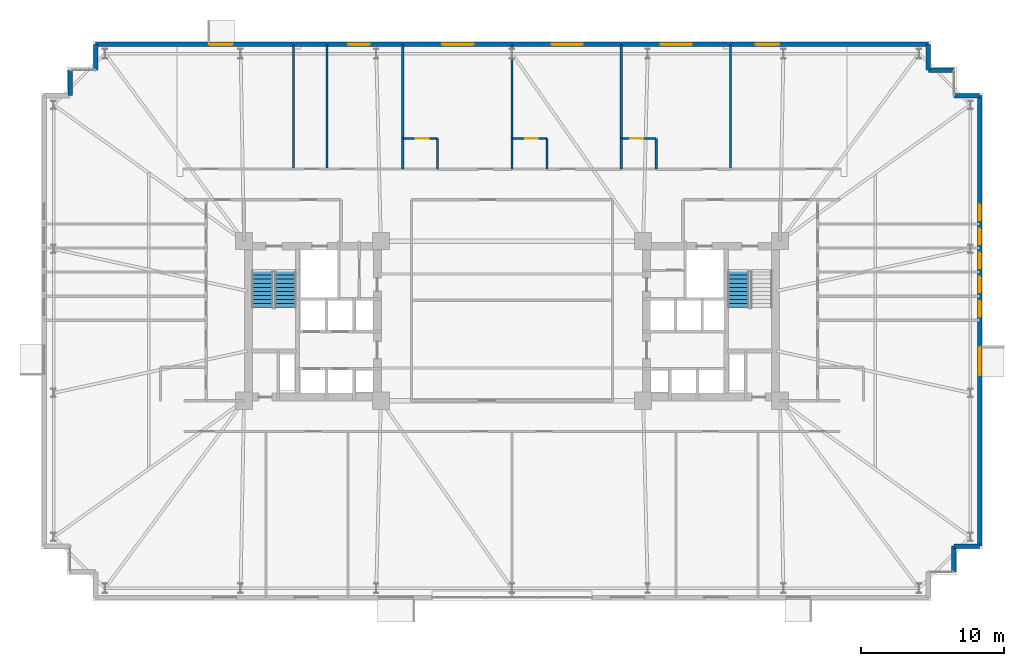
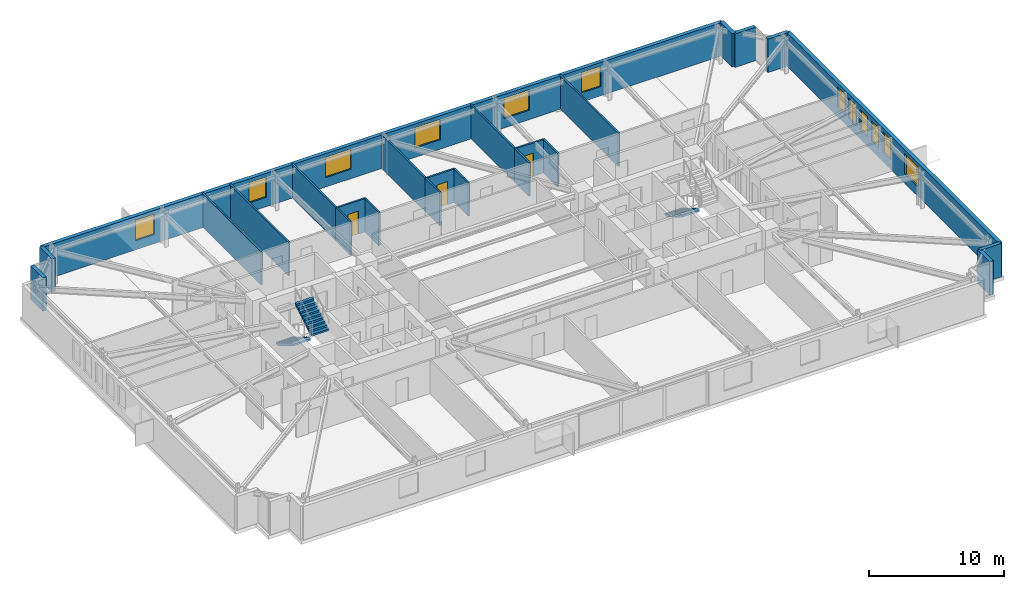
# One storey, part 22 of 26: 24 walls, 12 windows, 3 doors, 3 stair flights, 15 openings, 2 elements without a shape of their own.
"""IFC4 building model written with IfcOpenShell, lengths in metres."""

from ifc_helpers import new_model, si_unit, direction, frame, frame_2d, origin, place, context, subcontext, project, spatial, polyline, rectangle, outline, extrude, material, layer, layer_set, type_object, element, fill, aggregate, save


model = new_model("IFC4")

# Units and contexts
model_context = context("Model", 3, precision=1e-05, world=origin(), true_north=direction((0.0, 1.0)))
body_context = subcontext(model_context, "Body", "Model", "MODEL_VIEW")
ifc_project = project(units=[si_unit("LENGTHUNIT", "METRE"), si_unit("AREAUNIT", "SQUARE_METRE"), si_unit("VOLUMEUNIT", "CUBIC_METRE"), si_unit("PLANEANGLEUNIT", "RADIAN"), si_unit("MASSUNIT", "GRAM", prefix="KILO")], contexts=[model_context])

# Site, building, storey
site_placement = place(None, origin())
site = spatial("IfcSite", under=ifc_project, at=site_placement, CompositionType="ELEMENT")
building_placement = place(site_placement, origin())
building = spatial("IfcBuilding", under=site, at=building_placement, Name="Qobustan Lattice House", CompositionType="ELEMENT")
storey_placement = place(building_placement, frame((0.0, 0.0, 47.10009765625)))
storey = spatial("IfcBuildingStorey", under=building, at=storey_placement, Name="L12", CompositionType="ELEMENT", Elevation=47.10009765625)

# Walls
ifc_material_1 = material(Name="Precast concrete C40/50", Category="concrete")
ifc_layer_1 = layer(ifc_material_1, 0.320068359375)
ifc_layer_set_1 = layer_set([ifc_layer_1], Name="Precast concrete C40/50")
wall_type_1 = type_object("IfcWallType", Name="WAL-EXT-STONE-320", PredefinedType="SOLIDWALL", material=ifc_layer_set_1)
wall_1_placement = place(storey_placement, frame((-31.0, 15.800048828125, 0.0), z_axis=(0.0, 0.0, 1.0), x_axis=(0.0, 1.0, 0.0)))
element("IfcWall", 1, at=wall_1_placement, inside=storey, type_object=wall_type_1, Name="L12 exterior limestone-clad wall 7", PredefinedType="SOLIDWALL", context=body_context, shape_type="SweptSolid", body=[
    extrude(rectangle(XDim=1.800048828125, YDim=0.320068359375, at=frame_2d((0.89990234375, 0.0))), origin(), (0.0, 0.0, 1.0), 3.034912109375),
])
wall_2_placement = place(storey_placement, frame((-29.199951171875, 17.60009765625, 0.0), z_axis=(0.0, 0.0, 1.0), x_axis=(0.0, 1.0, 0.0)))
element("IfcWall", 2, at=wall_2_placement, inside=storey, type_object=wall_type_1, Name="L12 exterior limestone-clad wall 9", PredefinedType="SOLIDWALL", context=body_context, shape_type="SweptSolid", body=[
    extrude(rectangle(XDim=1.7998046875, YDim=0.320068359375, at=frame_2d((0.89990234375, 0.0))), origin(), (0.0, 0.0, 1.0), 3.034912109375),
])

# Wall, openings, windows
wall_3_placement = place(storey_placement, frame((-29.199951171875, 19.39990234375, 0.0), z_axis=(0.0, 0.0, 1.0), x_axis=(1.0, 0.0, 0.0)))
wall_3 = element("IfcWall", 3, at=wall_3_placement, inside=storey, type_object=wall_type_1, Name="L12 exterior limestone-clad wall 10", PredefinedType="SOLIDWALL", context=body_context, shape_type="SweptSolid", body=[
    extrude(rectangle(XDim=58.39990234375, YDim=0.320068359375, at=frame_2d((29.199951171875, 0.0))), origin(), (0.0, 0.0, 1.0), 3.034912109375),
])
opening_1_placement = place(wall_3_placement, frame((7.972412109375, 0.0, 0.85009765625)))
opening_1 = element("IfcOpeningElement", 4, at=opening_1_placement, cuts=wall_3, Name="Opening WN-09", PredefinedType="OPENING", context=body_context, shape_type="SweptSolid", body=[
    extrude(rectangle(XDim=1.64990234375, YDim=1.85009765625, at=frame_2d((0.824951171875, 0.925048828125))), frame((0.0, 0.169921875, 0.0), z_axis=(0.0, -1.0, 0.0), x_axis=(1.0, 0.0, 0.0)), (0.0, 0.0, 1.0), 0.340087890625),
])
opening_2_placement = place(wall_3_placement, frame((17.72607421875, 0.0, 0.85009765625)))
opening_2 = element("IfcOpeningElement", 5, at=opening_2_placement, cuts=wall_3, Name="Opening WN-01", PredefinedType="OPENING", context=body_context, shape_type="SweptSolid", body=[
    extrude(rectangle(XDim=1.5, YDim=1.85009765625, at=frame_2d((0.75, 0.925048828125))), frame((0.0, 0.169921875, 0.0), z_axis=(0.0, -1.0, 0.0), x_axis=(1.0, 0.0, 0.0)), (0.0, 0.0, 1.0), 0.340087890625),
])
opening_3_placement = place(wall_3_placement, frame((24.300048828125, 0.0, 0.85009765625)))
opening_3 = element("IfcOpeningElement", 6, at=opening_3_placement, cuts=wall_3, Name="Opening WN-03", PredefinedType="OPENING", context=body_context, shape_type="SweptSolid", body=[
    extrude(rectangle(XDim=2.199951171875, YDim=1.85009765625, at=frame_2d((1.10009765625, 0.925048828125))), frame((0.0, 0.169921875, 0.0), z_axis=(0.0, -1.0, 0.0), x_axis=(1.0, 0.0, 0.0)), (0.0, 0.0, 1.0), 0.340087890625),
])
opening_4_placement = place(wall_3_placement, frame((31.97998046875, 0.0, 0.85009765625)))
opening_4 = element("IfcOpeningElement", 7, at=opening_4_placement, cuts=wall_3, Name="Opening WN-03", PredefinedType="OPENING", context=body_context, shape_type="SweptSolid", body=[
    extrude(rectangle(XDim=2.199951171875, YDim=1.85009765625, at=frame_2d((1.10009765625, 0.925048828125))), frame((0.0, 0.169921875, 0.0), z_axis=(0.0, -1.0, 0.0), x_axis=(1.0, 0.0, 0.0)), (0.0, 0.0, 1.0), 0.340087890625),
])
opening_5_placement = place(wall_3_placement, frame((39.6201171875, 0.0, 0.85009765625)))
opening_5 = element("IfcOpeningElement", 8, at=opening_5_placement, cuts=wall_3, Name="Opening WN-03", PredefinedType="OPENING", context=body_context, shape_type="SweptSolid", body=[
    extrude(rectangle(XDim=2.199951171875, YDim=1.85009765625, at=frame_2d((1.10009765625, 0.925048828125))), frame((0.0, 0.169921875, 0.0), z_axis=(0.0, -1.0, 0.0), x_axis=(1.0, 0.0, 0.0)), (0.0, 0.0, 1.0), 0.340087890625),
])
opening_6_placement = place(wall_3_placement, frame((46.29248046875, 0.0, 0.85009765625)))
opening_6 = element("IfcOpeningElement", 9, at=opening_6_placement, cuts=wall_3, Name="Opening WN-09", PredefinedType="OPENING", context=body_context, shape_type="SweptSolid", body=[
    extrude(rectangle(XDim=1.64990234375, YDim=1.85009765625, at=frame_2d((0.824951171875, 0.925048828125))), frame((0.0, 0.169921875, 0.0), z_axis=(0.0, -1.0, 0.0), x_axis=(1.0, 0.0, 0.0)), (0.0, 0.0, 1.0), 0.340087890625),
])
ifc_material_2 = material(Name="Double-glazed low-E aluminium window", Category="aluminium")
window_type_1 = type_object("IfcWindowType", Name="WIN-BED-1500x1850", PartitioningType="SINGLE_PANEL", PredefinedType="WINDOW", material=ifc_material_2)
window_1_placement = place(opening_2_placement, origin())
window_1 = element("IfcWindow", 10, at=window_1_placement, inside=storey, type_object=window_type_1, Name="L12 Laundry utility room window", OverallHeight=1.85009765625, OverallWidth=1.5, PartitioningType="SINGLE_PANEL", PredefinedType="WINDOW", context=body_context, shape_type="SweptSolid", body=[
    extrude(rectangle(XDim=1.5, YDim=1.85009765625, at=frame_2d((0.75, 0.925048828125))), frame((0.0, 0.030029296875, 0.0), z_axis=(0.0, -1.0, 0.0), x_axis=(1.0, 0.0, 0.0)), (0.0, 0.0, 1.0), 0.06005859375),
])
fill(opening_2, window_1)
ifc_material_3 = material(Name="Double-glazed low-E aluminium window", Category="aluminium")
window_type_2 = type_object("IfcWindowType", Name="WIN-STU-1650x1850", PartitioningType="SINGLE_PANEL", PredefinedType="WINDOW", material=ifc_material_3)
window_2_placement = place(opening_1_placement, origin())
window_2 = element("IfcWindow", 11, at=window_2_placement, inside=storey, type_object=window_type_2, Name="L12 Focus study room N1 window", OverallHeight=1.85009765625, OverallWidth=1.64990234375, PartitioningType="SINGLE_PANEL", PredefinedType="WINDOW", context=body_context, shape_type="SweptSolid", body=[
    extrude(rectangle(XDim=1.64990234375, YDim=1.85009765625, at=frame_2d((0.824951171875, 0.925048828125))), frame((0.0, 0.030029296875, 0.0), z_axis=(0.0, -1.0, 0.0), x_axis=(1.0, 0.0, 0.0)), (0.0, 0.0, 1.0), 0.06005859375),
])
fill(opening_1, window_2)
window_3_placement = place(opening_6_placement, origin())
window_3 = element("IfcWindow", 12, at=window_3_placement, inside=storey, type_object=window_type_2, Name="L12 Focus study room N6 window", OverallHeight=1.85009765625, OverallWidth=1.64990234375, PartitioningType="SINGLE_PANEL", PredefinedType="WINDOW", context=body_context, shape_type="SweptSolid", body=[
    extrude(rectangle(XDim=1.64990234375, YDim=1.85009765625, at=frame_2d((0.824951171875, 0.925048828125))), frame((0.0, 0.030029296875, 0.0), z_axis=(0.0, -1.0, 0.0), x_axis=(1.0, 0.0, 0.0)), (0.0, 0.0, 1.0), 0.06005859375),
])
fill(opening_6, window_3)
ifc_material_4 = material(Name="Double-glazed low-E aluminium window", Category="aluminium")
window_type_3 = type_object("IfcWindowType", Name="WIN-WIDE-2200x1850", PartitioningType="SINGLE_PANEL", PredefinedType="WINDOW", material=ifc_material_4)
window_4_placement = place(opening_3_placement, origin())
window_4 = element("IfcWindow", 13, at=window_4_placement, inside=storey, type_object=window_type_3, Name="L12 Kitchenette and studio apartment L12-N3 window", OverallHeight=1.85009765625, OverallWidth=2.199951171875, PartitioningType="SINGLE_PANEL", PredefinedType="WINDOW", context=body_context, shape_type="SweptSolid", body=[
    extrude(rectangle(XDim=2.199951171875, YDim=1.85009765625, at=frame_2d((1.10009765625, 0.925048828125))), frame((0.0, 0.030029296875, 0.0), z_axis=(0.0, -1.0, 0.0), x_axis=(1.0, 0.0, 0.0)), (0.0, 0.0, 1.0), 0.06005859375),
])
fill(opening_3, window_4)
window_5_placement = place(opening_4_placement, origin())
window_5 = element("IfcWindow", 14, at=window_5_placement, inside=storey, type_object=window_type_3, Name="L12 Kitchenette and studio apartment L12-N4 window", OverallHeight=1.85009765625, OverallWidth=2.199951171875, PartitioningType="SINGLE_PANEL", PredefinedType="WINDOW", context=body_context, shape_type="SweptSolid", body=[
    extrude(rectangle(XDim=2.199951171875, YDim=1.85009765625, at=frame_2d((1.10009765625, 0.925048828125))), frame((0.0, 0.030029296875, 0.0), z_axis=(0.0, -1.0, 0.0), x_axis=(1.0, 0.0, 0.0)), (0.0, 0.0, 1.0), 0.06005859375),
])
fill(opening_4, window_5)
window_6_placement = place(opening_5_placement, origin())
window_6 = element("IfcWindow", 15, at=window_6_placement, inside=storey, type_object=window_type_3, Name="L12 Kitchenette and studio apartment L12-N5 window", OverallHeight=1.85009765625, OverallWidth=2.199951171875, PartitioningType="SINGLE_PANEL", PredefinedType="WINDOW", context=body_context, shape_type="SweptSolid", body=[
    extrude(rectangle(XDim=2.199951171875, YDim=1.85009765625, at=frame_2d((1.10009765625, 0.925048828125))), frame((0.0, 0.030029296875, 0.0), z_axis=(0.0, -1.0, 0.0), x_axis=(1.0, 0.0, 0.0)), (0.0, 0.0, 1.0), 0.06005859375),
])
fill(opening_5, window_6)

# Walls
wall_4_placement = place(storey_placement, frame((29.199951171875, 19.39990234375, 0.0), z_axis=(0.0, 0.0, 1.0), x_axis=(0.0, -1.0, 0.0)))
element("IfcWall", 16, at=wall_4_placement, inside=storey, type_object=wall_type_1, Name="L12 exterior limestone-clad wall 11", PredefinedType="SOLIDWALL", context=body_context, shape_type="SweptSolid", body=[
    extrude(rectangle(XDim=1.7998046875, YDim=0.320068359375, at=frame_2d((0.89990234375, 0.0))), origin(), (0.0, 0.0, 1.0), 3.034912109375),
])
for number, where, z_axis, x_axis, name in (
    (17, (29.199951171875, 17.60009765625, 0.0), (0.0, 0.0, 1.0), (1.0, 0.0, 0.0), "L12 exterior limestone-clad wall 12"),
    (18, (31.0, 15.800048828125, 0.0), (0.0, 0.0, 1.0), (1.0, 0.0, 0.0), "L12 exterior limestone-clad wall 14"),
):
    element("IfcWall", number, at=place(storey_placement, frame(where, z_axis=z_axis, x_axis=x_axis)), inside=storey, type_object=wall_type_1, Name=name, PredefinedType="SOLIDWALL", context=body_context, shape_type="SweptSolid", body=[
        extrude(rectangle(XDim=1.800048828125, YDim=0.320068359375, at=frame_2d((0.89990234375, 0.0))), origin(), (0.0, 0.0, 1.0), 3.034912109375),
    ])

# Wall, openings, windows
wall_5_placement = place(storey_placement, frame((32.800048828125, 15.800048828125, 0.0), z_axis=(0.0, 0.0, 1.0), x_axis=(0.0, -1.0, 0.0)))
wall_5 = element("IfcWall", 19, at=wall_5_placement, inside=storey, type_object=wall_type_1, Name="L12 exterior limestone-clad wall 15", PredefinedType="SOLIDWALL", context=body_context, shape_type="SweptSolid", body=[
    extrude(rectangle(XDim=31.60009765625, YDim=0.320068359375, at=frame_2d((15.800048828125, 0.0))), origin(), (0.0, 0.0, 1.0), 3.034912109375),
])
opening_7_placement = place(wall_5_placement, frame((7.64990234375, 0.0, 0.85009765625)))
opening_7 = element("IfcOpeningElement", 20, at=opening_7_placement, cuts=wall_5, Name="Opening WN-04", PredefinedType="OPENING", context=body_context, shape_type="SweptSolid", body=[
    extrude(rectangle(XDim=1.10009765625, YDim=1.85009765625, at=frame_2d((0.550048828125, 0.925048828125))), frame((0.0, 0.169921875, 0.0), z_axis=(0.0, -1.0, 0.0), x_axis=(1.0, 0.0, 0.0)), (0.0, 0.0, 1.0), 0.340087890625),
])
opening_8_placement = place(wall_5_placement, frame((9.330078125, 0.0, 0.85009765625)))
opening_8 = element("IfcOpeningElement", 21, at=opening_8_placement, cuts=wall_5, Name="Opening WN-04", PredefinedType="OPENING", context=body_context, shape_type="SweptSolid", body=[
    extrude(rectangle(XDim=1.10009765625, YDim=1.85009765625, at=frame_2d((0.550048828125, 0.925048828125))), frame((0.0, 0.169921875, 0.0), z_axis=(0.0, -1.0, 0.0), x_axis=(1.0, 0.0, 0.0)), (0.0, 0.0, 1.0), 0.340087890625),
])
opening_9_placement = place(wall_5_placement, frame((11.010009765625, 0.0, 0.85009765625)))
opening_9 = element("IfcOpeningElement", 22, at=opening_9_placement, cuts=wall_5, Name="Opening WN-04", PredefinedType="OPENING", context=body_context, shape_type="SweptSolid", body=[
    extrude(rectangle(XDim=1.10009765625, YDim=1.85009765625, at=frame_2d((0.550048828125, 0.925048828125))), frame((0.0, 0.169921875, 0.0), z_axis=(0.0, -1.0, 0.0), x_axis=(1.0, 0.0, 0.0)), (0.0, 0.0, 1.0), 0.340087890625),
])
opening_10_placement = place(wall_5_placement, frame((12.68994140625, 0.0, 0.85009765625)))
opening_10 = element("IfcOpeningElement", 23, at=opening_10_placement, cuts=wall_5, Name="Opening WN-04", PredefinedType="OPENING", context=body_context, shape_type="SweptSolid", body=[
    extrude(rectangle(XDim=1.10009765625, YDim=1.85009765625, at=frame_2d((0.550048828125, 0.925048828125))), frame((0.0, 0.169921875, 0.0), z_axis=(0.0, -1.0, 0.0), x_axis=(1.0, 0.0, 0.0)), (0.0, 0.0, 1.0), 0.340087890625),
])
opening_11_placement = place(wall_5_placement, frame((14.409912109375, 0.0, 0.85009765625)))
opening_11 = element("IfcOpeningElement", 24, at=opening_11_placement, cuts=wall_5, Name="Opening WN-04", PredefinedType="OPENING", context=body_context, shape_type="SweptSolid", body=[
    extrude(rectangle(XDim=1.10009765625, YDim=1.85009765625, at=frame_2d((0.550048828125, 0.925048828125))), frame((0.0, 0.169921875, 0.0), z_axis=(0.0, -1.0, 0.0), x_axis=(1.0, 0.0, 0.0)), (0.0, 0.0, 1.0), 0.340087890625),
])
opening_12_placement = place(wall_5_placement, frame((17.6650390625, 0.0, 0.85009765625)))
opening_12 = element("IfcOpeningElement", 25, at=opening_12_placement, cuts=wall_5, Name="Opening WN-08", PredefinedType="OPENING", context=body_context, shape_type="SweptSolid", body=[
    extrude(rectangle(XDim=1.949951171875, YDim=1.85009765625, at=frame_2d((0.97509765625, 0.925048828125))), frame((0.0, 0.169921875, 0.0), z_axis=(0.0, -1.0, 0.0), x_axis=(1.0, 0.0, 0.0)), (0.0, 0.0, 1.0), 0.340087890625),
])
ifc_material_5 = material(Name="Double-glazed low-E aluminium window", Category="aluminium")
window_type_4 = type_object("IfcWindowType", Name="WIN-KIT-1950x1850", PartitioningType="SINGLE_PANEL", PredefinedType="WINDOW", material=ifc_material_5)
window_7_placement = place(opening_12_placement, origin())
window_7 = element("IfcWindow", 26, at=window_7_placement, inside=storey, type_object=window_type_4, Name="L12 Shared kitchen L12E window", OverallHeight=1.85009765625, OverallWidth=1.949951171875, PartitioningType="SINGLE_PANEL", PredefinedType="WINDOW", context=body_context, shape_type="SweptSolid", body=[
    extrude(rectangle(XDim=1.949951171875, YDim=1.85009765625, at=frame_2d((0.97509765625, 0.925048828125))), frame((0.0, 0.030029296875, 0.0), z_axis=(0.0, -1.0, 0.0), x_axis=(1.0, 0.0, 0.0)), (0.0, 0.0, 1.0), 0.06005859375),
])
fill(opening_12, window_7)
ifc_material_6 = material(Name="Double-glazed low-E aluminium window", Category="aluminium")
window_type_5 = type_object("IfcWindowType", Name="WIN-NAR-1100x1850", PartitioningType="SINGLE_PANEL", PredefinedType="WINDOW", material=ifc_material_6)
window_8_placement = place(opening_7_placement, origin())
window_8 = element("IfcWindow", 27, at=window_8_placement, inside=storey, type_object=window_type_5, Name="L12 Cluster bedroom L12E5 window", OverallHeight=1.85009765625, OverallWidth=1.10009765625, PartitioningType="SINGLE_PANEL", PredefinedType="WINDOW", context=body_context, shape_type="SweptSolid", body=[
    extrude(rectangle(XDim=1.10009765625, YDim=1.85009765625, at=frame_2d((0.550048828125, 0.925048828125))), frame((0.0, 0.030029296875, 0.0), z_axis=(0.0, -1.0, 0.0), x_axis=(1.0, 0.0, 0.0)), (0.0, 0.0, 1.0), 0.06005859375),
])
fill(opening_7, window_8)
window_9_placement = place(opening_8_placement, origin())
window_9 = element("IfcWindow", 28, at=window_9_placement, inside=storey, type_object=window_type_5, Name="L12 Cluster bedroom L12E4 window", OverallHeight=1.85009765625, OverallWidth=1.10009765625, PartitioningType="SINGLE_PANEL", PredefinedType="WINDOW", context=body_context, shape_type="SweptSolid", body=[
    extrude(rectangle(XDim=1.10009765625, YDim=1.85009765625, at=frame_2d((0.550048828125, 0.925048828125))), frame((0.0, 0.030029296875, 0.0), z_axis=(0.0, -1.0, 0.0), x_axis=(1.0, 0.0, 0.0)), (0.0, 0.0, 1.0), 0.06005859375),
])
fill(opening_8, window_9)
window_10_placement = place(opening_9_placement, origin())
window_10 = element("IfcWindow", 29, at=window_10_placement, inside=storey, type_object=window_type_5, Name="L12 Cluster bedroom L12E3 window", OverallHeight=1.85009765625, OverallWidth=1.10009765625, PartitioningType="SINGLE_PANEL", PredefinedType="WINDOW", context=body_context, shape_type="SweptSolid", body=[
    extrude(rectangle(XDim=1.10009765625, YDim=1.85009765625, at=frame_2d((0.550048828125, 0.925048828125))), frame((0.0, 0.030029296875, 0.0), z_axis=(0.0, -1.0, 0.0), x_axis=(1.0, 0.0, 0.0)), (0.0, 0.0, 1.0), 0.06005859375),
])
fill(opening_9, window_10)
window_11_placement = place(opening_10_placement, origin())
window_11 = element("IfcWindow", 30, at=window_11_placement, inside=storey, type_object=window_type_5, Name="L12 Cluster bedroom L12E2 window", OverallHeight=1.85009765625, OverallWidth=1.10009765625, PartitioningType="SINGLE_PANEL", PredefinedType="WINDOW", context=body_context, shape_type="SweptSolid", body=[
    extrude(rectangle(XDim=1.10009765625, YDim=1.85009765625, at=frame_2d((0.550048828125, 0.925048828125))), frame((0.0, 0.030029296875, 0.0), z_axis=(0.0, -1.0, 0.0), x_axis=(1.0, 0.0, 0.0)), (0.0, 0.0, 1.0), 0.06005859375),
])
fill(opening_10, window_11)
window_12_placement = place(opening_11_placement, origin())
window_12 = element("IfcWindow", 31, at=window_12_placement, inside=storey, type_object=window_type_5, Name="L12 Cluster bedroom L12E1 window", OverallHeight=1.85009765625, OverallWidth=1.10009765625, PartitioningType="SINGLE_PANEL", PredefinedType="WINDOW", context=body_context, shape_type="SweptSolid", body=[
    extrude(rectangle(XDim=1.10009765625, YDim=1.85009765625, at=frame_2d((0.550048828125, 0.925048828125))), frame((0.0, 0.030029296875, 0.0), z_axis=(0.0, -1.0, 0.0), x_axis=(1.0, 0.0, 0.0)), (0.0, 0.0, 1.0), 0.06005859375),
])
fill(opening_11, window_12)

# Walls
for number, where, z_axis, x_axis, name in (
    (32, (32.800048828125, -15.800048828125, 0.0), (0.0, 0.0, 1.0), (-1.0, 0.0, 0.0), "L12 exterior limestone-clad wall 16"),
    (33, (31.0, -15.800048828125, 0.0), (0.0, 0.0, 1.0), (0.0, -1.0, 0.0), "L12 exterior limestone-clad wall 17"),
):
    element("IfcWall", number, at=place(storey_placement, frame(where, z_axis=z_axis, x_axis=x_axis)), inside=storey, type_object=wall_type_1, Name=name, PredefinedType="SOLIDWALL", context=body_context, shape_type="SweptSolid", body=[
        extrude(rectangle(XDim=1.800048828125, YDim=0.320068359375, at=frame_2d((0.89990234375, 0.0))), origin(), (0.0, 0.0, 1.0), 3.034912109375),
    ])
ifc_material_7 = material(Name="Acoustic twin-stud gypsum partition", Category="gypsum")
ifc_layer_2 = layer(ifc_material_7, 0.14990234375)
ifc_layer_set_2 = layer_set([ifc_layer_2], Name="Acoustic twin-stud gypsum partition")
wall_type_2 = type_object("IfcWallType", Name="WAL-PART-150", PredefinedType="PARTITIONING", material=ifc_layer_set_2)
for number, where, z_axis, x_axis, name in (
    (34, (-7.6669921875, 19.39990234375, 0.0), (0.0, 0.0, 1.0), (0.0, -1.0, 0.0), "L12 interior partition 100"),
    (35, (0.0, 19.39990234375, 0.0), (0.0, 0.0, 1.0), (0.0, -1.0, 0.0), "L12 interior partition 104"),
    (36, (7.6669921875, 19.39990234375, 0.0), (0.0, 0.0, 1.0), (0.0, -1.0, 0.0), "L12 interior partition 108"),
):
    element("IfcWall", number, at=place(storey_placement, frame(where, z_axis=z_axis, x_axis=x_axis)), inside=storey, type_object=wall_type_2, Name=name, PredefinedType="PARTITIONING", context=body_context, shape_type="SweptSolid", body=[
        extrude(rectangle(XDim=6.599853515625, YDim=0.14990234375, at=frame_2d((3.2998046875, 0.0))), origin(), (0.0, 0.0, 1.0), 3.034912109375),
    ])
wall_6_placement = place(storey_placement, frame((15.3330078125, 19.39990234375, 0.0), z_axis=(0.0, 0.0, 1.0), x_axis=(0.0, -1.0, 0.0)))
element("IfcWall", 37, at=wall_6_placement, inside=storey, type_object=wall_type_2, Name="L12 interior partition 112", PredefinedType="PARTITIONING", context=body_context, shape_type="SweptSolid", body=[
    extrude(rectangle(XDim=8.75, YDim=0.14990234375, at=frame_2d((4.375, 0.0))), origin(), (0.0, 0.0, 1.0), 3.034912109375),
])
ifc_material_8 = material(Name="Moisture-resistant acoustic plumbing wall", Category="gypsum")
ifc_layer_3 = layer(ifc_material_8, 0.14990234375)
ifc_layer_set_3 = layer_set([ifc_layer_3], Name="Moisture-resistant acoustic plumbing wall")
wall_type_3 = type_object("IfcWallType", Name="WAL-WET-150", PredefinedType="PLUMBINGWALL", material=ifc_layer_set_3)
for number, where, z_axis, x_axis, name in (
    (38, (-15.3330078125, 19.39990234375, 0.0), (0.0, 0.0, 1.0), (0.0, -1.0, 0.0), "L12 interior partition 98"),
    (39, (-12.98291015625, 19.39990234375, 0.0), (0.0, 0.0, 1.0), (0.0, -1.0, 0.0), "L12 interior partition 99"),
):
    element("IfcWall", number, at=place(storey_placement, frame(where, z_axis=z_axis, x_axis=x_axis)), inside=storey, type_object=wall_type_3, Name=name, PredefinedType="PLUMBINGWALL", context=body_context, shape_type="SweptSolid", body=[
        extrude(rectangle(XDim=8.75, YDim=0.14990234375, at=frame_2d((4.375, 0.0))), origin(), (0.0, 0.0, 1.0), 3.034912109375),
    ])
wall_7_placement = place(storey_placement, frame((-7.6669921875, 12.800048828125, 0.0), z_axis=(0.0, 0.0, 1.0), x_axis=(0.0, -1.0, 0.0)))
element("IfcWall", 40, at=wall_7_placement, inside=storey, type_object=wall_type_3, Name="L12 interior partition 101", PredefinedType="PLUMBINGWALL", context=body_context, shape_type="SweptSolid", body=[
    extrude(rectangle(XDim=2.150146484375, YDim=0.14990234375, at=frame_2d((1.0751953125, 0.0))), origin(), (0.0, 0.0, 1.0), 3.034912109375),
])

# Wall, opening, door
wall_8_placement = place(storey_placement, frame((-5.217041015625, 12.800048828125, 0.0), z_axis=(0.0, 0.0, 1.0), x_axis=(-1.0, 0.0, 0.0)))
wall_8 = element("IfcWall", 41, at=wall_8_placement, inside=storey, type_object=wall_type_3, Name="L12 interior partition 102", PredefinedType="PLUMBINGWALL", context=body_context, shape_type="SweptSolid", body=[
    extrude(rectangle(XDim=2.449951171875, YDim=0.14990234375, at=frame_2d((1.22509765625, 0.0))), origin(), (0.0, 0.0, 1.0), 3.034912109375),
])
opening_13_placement = place(wall_8_placement, frame((0.62890625, 0.0, 0.0)))
opening_13 = element("IfcOpeningElement", 42, at=opening_13_placement, cuts=wall_8, Name="Opening WD-01", PredefinedType="OPENING", context=body_context, shape_type="SweptSolid", body=[
    extrude(rectangle(XDim=0.89990234375, YDim=2.10009765625, at=frame_2d((0.449951171875, 1.050048828125))), frame((0.0, 0.0849609375, 0.0), z_axis=(0.0, -1.0, 0.0), x_axis=(1.0, 0.0, 0.0)), (0.0, 0.0, 1.0), 0.169921875),
])
ifc_material_9 = material(Name="Persian walnut timber and steel frame door", Category="steel")
door_type = type_object("IfcDoorType", Name="DOR-WET-900x2100", OperationType="NOTDEFINED", PredefinedType="DOOR", material=ifc_material_9)
door_1_placement = place(opening_13_placement, origin())
door_1 = element("IfcDoor", 43, at=door_1_placement, inside=storey, type_object=door_type, Name="L12 Kitchenette and studio apartment L12-N3 to En-suite bathroom L12-N3 door", OperationType="SINGLE_SWING_LEFT", OverallHeight=2.10009765625, OverallWidth=0.89990234375, PredefinedType="DOOR", context=body_context, shape_type="SweptSolid", body=[
    extrude(rectangle(XDim=0.89990234375, YDim=2.10009765625, at=frame_2d((0.449951171875, 1.050048828125))), frame((0.0, 0.02490234375, 0.0), z_axis=(0.0, -1.0, 0.0), x_axis=(1.0, 0.0, 0.0)), (0.0, 0.0, 1.0), 0.050048828125),
])
fill(opening_13, door_1)

# Walls
for number, where, z_axis, x_axis, name in (
    (44, (-5.217041015625, 10.64990234375, 0.0), (0.0, 0.0, 1.0), (0.0, 1.0, 0.0), "L12 interior partition 103"),
    (45, (0.0, 12.800048828125, 0.0), (0.0, 0.0, 1.0), (0.0, -1.0, 0.0), "L12 interior partition 105"),
):
    element("IfcWall", number, at=place(storey_placement, frame(where, z_axis=z_axis, x_axis=x_axis)), inside=storey, type_object=wall_type_3, Name=name, PredefinedType="PLUMBINGWALL", context=body_context, shape_type="SweptSolid", body=[
        extrude(rectangle(XDim=2.150146484375, YDim=0.14990234375, at=frame_2d((1.0751953125, 0.0))), origin(), (0.0, 0.0, 1.0), 3.034912109375),
    ])

# Wall, opening, door
wall_9_placement = place(storey_placement, frame((2.449951171875, 12.800048828125, 0.0), z_axis=(0.0, 0.0, 1.0), x_axis=(-1.0, 0.0, 0.0)))
wall_9 = element("IfcWall", 46, at=wall_9_placement, inside=storey, type_object=wall_type_3, Name="L12 interior partition 106", PredefinedType="PLUMBINGWALL", context=body_context, shape_type="SweptSolid", body=[
    extrude(rectangle(XDim=2.449951171875, YDim=0.14990234375, at=frame_2d((1.22509765625, 0.0))), origin(), (0.0, 0.0, 1.0), 3.034912109375),
])
opening_14_placement = place(wall_9_placement, frame((0.62890625, 0.0, 0.0)))
opening_14 = element("IfcOpeningElement", 47, at=opening_14_placement, cuts=wall_9, Name="Opening WD-01", PredefinedType="OPENING", context=body_context, shape_type="SweptSolid", body=[
    extrude(rectangle(XDim=0.89990234375, YDim=2.10009765625, at=frame_2d((0.449951171875, 1.050048828125))), frame((0.0, 0.0849609375, 0.0), z_axis=(0.0, -1.0, 0.0), x_axis=(1.0, 0.0, 0.0)), (0.0, 0.0, 1.0), 0.169921875),
])
door_2_placement = place(opening_14_placement, origin())
door_2 = element("IfcDoor", 48, at=door_2_placement, inside=storey, type_object=door_type, Name="L12 Kitchenette and studio apartment L12-N4 to En-suite bathroom L12-N4 door", OperationType="SINGLE_SWING_RIGHT", OverallHeight=2.10009765625, OverallWidth=0.89990234375, PredefinedType="DOOR", context=body_context, shape_type="SweptSolid", body=[
    extrude(rectangle(XDim=0.89990234375, YDim=2.10009765625, at=frame_2d((0.449951171875, 1.050048828125))), frame((0.0, 0.02490234375, 0.0), z_axis=(0.0, -1.0, 0.0), x_axis=(1.0, 0.0, 0.0)), (0.0, 0.0, 1.0), 0.050048828125),
])
fill(opening_14, door_2)

# Walls
for number, where, z_axis, x_axis, name in (
    (49, (2.449951171875, 10.64990234375, 0.0), (0.0, 0.0, 1.0), (0.0, 1.0, 0.0), "L12 interior partition 107"),
    (50, (7.6669921875, 12.800048828125, 0.0), (0.0, 0.0, 1.0), (0.0, -1.0, 0.0), "L12 interior partition 109"),
):
    element("IfcWall", number, at=place(storey_placement, frame(where, z_axis=z_axis, x_axis=x_axis)), inside=storey, type_object=wall_type_3, Name=name, PredefinedType="PLUMBINGWALL", context=body_context, shape_type="SweptSolid", body=[
        extrude(rectangle(XDim=2.150146484375, YDim=0.14990234375, at=frame_2d((1.0751953125, 0.0))), origin(), (0.0, 0.0, 1.0), 3.034912109375),
    ])

# Wall, opening, door
wall_10_placement = place(storey_placement, frame((10.116943359375, 12.800048828125, 0.0), z_axis=(0.0, 0.0, 1.0), x_axis=(-1.0, 0.0, 0.0)))
wall_10 = element("IfcWall", 51, at=wall_10_placement, inside=storey, type_object=wall_type_3, Name="L12 interior partition 110", PredefinedType="PLUMBINGWALL", context=body_context, shape_type="SweptSolid", body=[
    extrude(rectangle(XDim=2.449951171875, YDim=0.14990234375, at=frame_2d((1.22509765625, 0.0))), origin(), (0.0, 0.0, 1.0), 3.034912109375),
])
opening_15_placement = place(wall_10_placement, frame((0.92138671875, 0.0, 0.0)))
opening_15 = element("IfcOpeningElement", 52, at=opening_15_placement, cuts=wall_10, Name="Opening WD-01", PredefinedType="OPENING", context=body_context, shape_type="SweptSolid", body=[
    extrude(rectangle(XDim=0.89990234375, YDim=2.10009765625, at=frame_2d((0.449951171875, 1.050048828125))), frame((0.0, 0.0849609375, 0.0), z_axis=(0.0, -1.0, 0.0), x_axis=(1.0, 0.0, 0.0)), (0.0, 0.0, 1.0), 0.169921875),
])
door_3_placement = place(opening_15_placement, origin())
door_3 = element("IfcDoor", 53, at=door_3_placement, inside=storey, type_object=door_type, Name="L12 Kitchenette and studio apartment L12-N5 to En-suite bathroom L12-N5 door", OperationType="SINGLE_SWING_LEFT", OverallHeight=2.10009765625, OverallWidth=0.89990234375, PredefinedType="DOOR", context=body_context, shape_type="SweptSolid", body=[
    extrude(rectangle(XDim=0.89990234375, YDim=2.10009765625, at=frame_2d((0.449951171875, 1.050048828125))), frame((0.0, 0.02490234375, 0.0), z_axis=(0.0, -1.0, 0.0), x_axis=(1.0, 0.0, 0.0)), (0.0, 0.0, 1.0), 0.050048828125),
])
fill(opening_15, door_3)

# Wall
wall_11_placement = place(storey_placement, frame((10.116943359375, 10.64990234375, 0.0), z_axis=(0.0, 0.0, 1.0), x_axis=(0.0, 1.0, 0.0)))
element("IfcWall", 54, at=wall_11_placement, inside=storey, type_object=wall_type_3, Name="L12 interior partition 111", PredefinedType="PLUMBINGWALL", context=body_context, shape_type="SweptSolid", body=[
    extrude(rectangle(XDim=2.150146484375, YDim=0.14990234375, at=frame_2d((1.0751953125, 0.0))), origin(), (0.0, 0.0, 1.0), 3.034912109375),
])

# Stair, stair flights
ifc_material_10 = material(Name="Concrete C40/50", Category="concrete")
stair_type = type_object("IfcStairType", Name="STR-CORE-DOGLEG", PredefinedType="HALF_TURN_STAIR", material=ifc_material_10)
stair_1_placement = place(storey_placement, origin())
stair_1 = element("IfcStair", 55, at=stair_1_placement, inside=storey, type_object=stair_type, Name="L12 West protected exit stair ST-W1", PredefinedType="HALF_TURN_STAIR")
ifc_material_11 = material(Name="Concrete C40/50", Category="concrete")
stair_flight_type = type_object("IfcStairFlightType", Name="SFL-RC-1500", PredefinedType="STRAIGHT", material=ifc_material_11)
stair_flight_1_placement = place(storey_placement, frame((-17.5, 3.5, 0.0), z_axis=(0.0, 0.0, 1.0), x_axis=(0.0, -1.0, 0.0)))
stair_flight_1 = element("IfcStairFlight", 56, at=stair_flight_1_placement, type_object=stair_flight_type, Name="ST-W1 flight 1", NumberOfRisers=10, NumberOfTreads=9, PredefinedType="STRAIGHT", RiserHeight=0.1675, TreadLength=0.285, context=body_context, shape_type="SweptSolid", body=[
    extrude(outline(polyline([(0.0, 0.0), (0.0, 0.16748046875), (0.284912109375, 0.16748046875), (0.284912109375, 0.3349609375), (0.570068359375, 0.3349609375), (0.570068359375, 0.50244140625), (0.85498046875, 0.50244140625), (0.85498046875, 0.669921875), (1.139892578125, 0.669921875), (1.139892578125, 0.83740234375), (1.425048828125, 0.83740234375), (1.425048828125, 1.0048828125), (1.7099609375, 1.0048828125), (1.7099609375, 1.172607421875), (1.9951171875, 1.172607421875), (1.9951171875, 1.340087890625), (2.280029296875, 1.340087890625), (2.280029296875, 1.507568359375), (2.56494140625, 1.507568359375), (2.56494140625, 1.675048828125), (2.56494140625, 1.333740234375), (0.2958984375, 0.0), (0.0, 0.0)])), frame((0.0, 0.75, 0.0), z_axis=(0.0, -1.0, 0.0), x_axis=(1.0, 0.0, 0.0)), (0.0, 0.0, 1.0), 1.5),
])
stair_flight_2_placement = place(storey_placement, frame((-15.8798828125, 0.93505859375, 1.6748046875), z_axis=(0.0, 0.0, 1.0), x_axis=(0.0, 1.0, 0.0)))
stair_flight_2 = element("IfcStairFlight", 57, at=stair_flight_2_placement, type_object=stair_flight_type, Name="ST-W1 flight 2", NumberOfRisers=10, NumberOfTreads=9, PredefinedType="STRAIGHT", RiserHeight=0.1675, TreadLength=0.285, context=body_context, shape_type="SweptSolid", body=[
    extrude(outline(polyline([(0.0, 0.0), (0.0, 0.16748046875), (0.284912109375, 0.16748046875), (0.284912109375, 0.3349609375), (0.570068359375, 0.3349609375), (0.570068359375, 0.50244140625), (0.85498046875, 0.50244140625), (0.85498046875, 0.669921875), (1.139892578125, 0.669921875), (1.139892578125, 0.83740234375), (1.425048828125, 0.83740234375), (1.425048828125, 1.0048828125), (1.7099609375, 1.0048828125), (1.7099609375, 1.172607421875), (1.9951171875, 1.172607421875), (1.9951171875, 1.340087890625), (2.280029296875, 1.340087890625), (2.280029296875, 1.507568359375), (2.56494140625, 1.507568359375), (2.56494140625, 1.675048828125), (2.56494140625, 1.333740234375), (0.2958984375, 0.0), (0.0, 0.0)])), frame((0.0, 0.75, 0.0), z_axis=(0.0, -1.0, 0.0), x_axis=(1.0, 0.0, 0.0)), (0.0, 0.0, 1.0), 1.5),
])
aggregate(stair_1, [stair_flight_1, stair_flight_2])

# Stair, stair flight
stair_2_placement = place(storey_placement, origin())
stair_2 = element("IfcStair", 58, at=stair_2_placement, inside=storey, type_object=stair_type, Name="L12 East protected exit stair ST-E1", PredefinedType="HALF_TURN_STAIR")
stair_flight_3_placement = place(storey_placement, frame((15.8798828125, 3.5, 0.0), z_axis=(0.0, 0.0, 1.0), x_axis=(0.0, -1.0, 0.0)))
stair_flight_3 = element("IfcStairFlight", 59, at=stair_flight_3_placement, type_object=stair_flight_type, Name="ST-E1 flight 1", NumberOfRisers=10, NumberOfTreads=9, PredefinedType="STRAIGHT", RiserHeight=0.1675, TreadLength=0.285, context=body_context, shape_type="SweptSolid", body=[
    extrude(outline(polyline([(0.0, 0.0), (0.0, 0.16748046875), (0.284912109375, 0.16748046875), (0.284912109375, 0.3349609375), (0.570068359375, 0.3349609375), (0.570068359375, 0.50244140625), (0.85498046875, 0.50244140625), (0.85498046875, 0.669921875), (1.139892578125, 0.669921875), (1.139892578125, 0.83740234375), (1.425048828125, 0.83740234375), (1.425048828125, 1.0048828125), (1.7099609375, 1.0048828125), (1.7099609375, 1.172607421875), (1.9951171875, 1.172607421875), (1.9951171875, 1.340087890625), (2.280029296875, 1.340087890625), (2.280029296875, 1.507568359375), (2.56494140625, 1.507568359375), (2.56494140625, 1.675048828125), (2.56494140625, 1.333740234375), (0.2958984375, 0.0), (0.0, 0.0)])), frame((0.0, 0.75, 0.0), z_axis=(0.0, -1.0, 0.0), x_axis=(1.0, 0.0, 0.0)), (0.0, 0.0, 1.0), 1.5),
])
aggregate(stair_2, [stair_flight_3])

save(model, "model.ifc")
